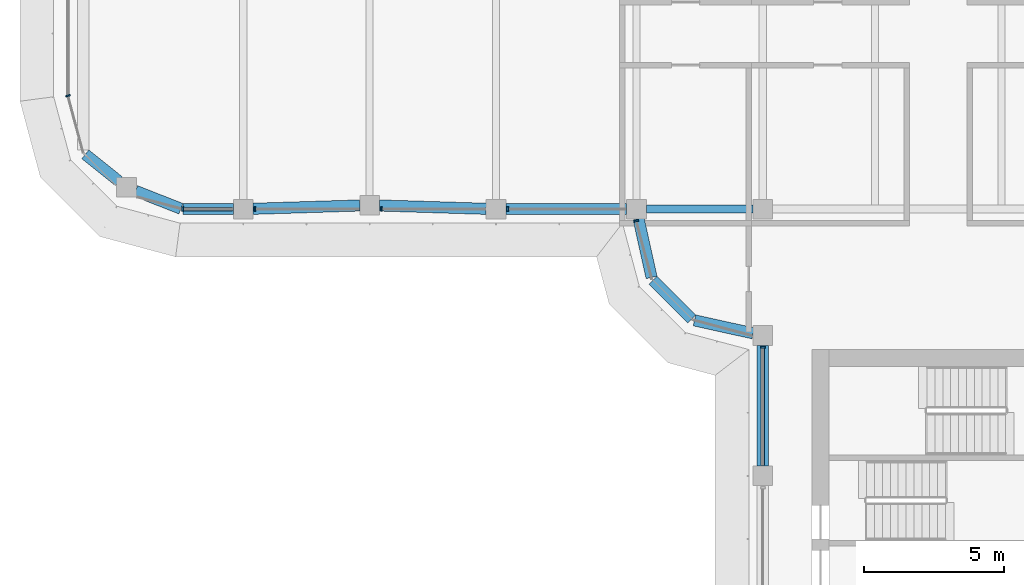
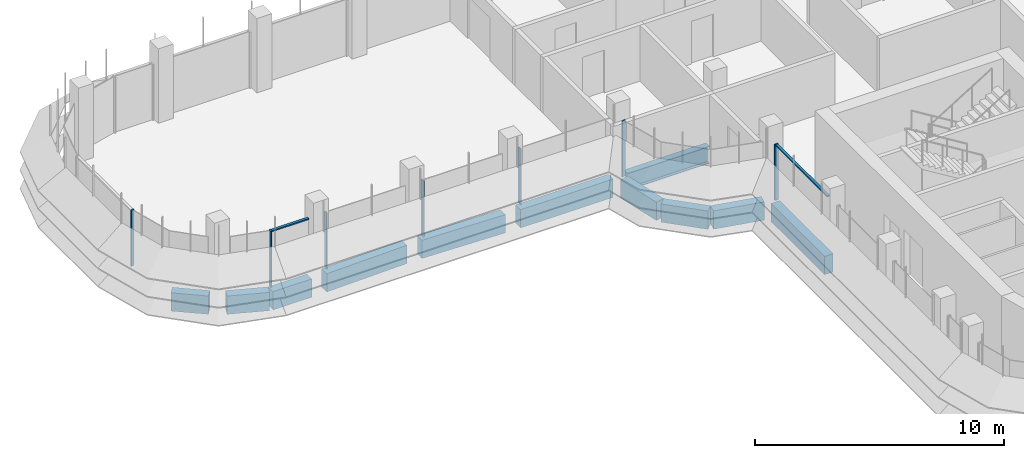
# One storey, part 3 of 19: 11 beams, 9 members, 4 elements without a shape of their own.
"""IFC4 building model written with IfcOpenShell, lengths in metres."""

from ifc_helpers import new_model, si_unit, direction, frame, origin, origin_2d, place, context, subcontext, project, spatial, polyline, rectangle, i_section, outline, extrude, source, transform, mapped, material, material_profile, profile_set, type_object, element, aggregate, save


model = new_model("IFC4")

# Units and contexts
model_context = context("Model", 3, precision=1e-05, world=origin(), true_north=direction((0.0, 1.0)))
body_context = subcontext(model_context, "Body", "Model", "MODEL_VIEW")
ifc_project = project(units=[si_unit("LENGTHUNIT", "METRE"), si_unit("AREAUNIT", "SQUARE_METRE"), si_unit("VOLUMEUNIT", "CUBIC_METRE"), si_unit("PLANEANGLEUNIT", "RADIAN"), si_unit("MASSUNIT", "GRAM", prefix="KILO")], contexts=[model_context])

# Site, building, storey
site_placement = place(None, origin())
site = spatial("IfcSite", under=ifc_project, at=site_placement, CompositionType="ELEMENT")
building_placement = place(site_placement, origin())
building = spatial("IfcBuilding", under=site, at=building_placement, Name="Zarbagh Exchange Tower", CompositionType="ELEMENT")
storey_placement = place(building_placement, frame((0.0, 0.0, 237.199951171875)))
storey = spatial("IfcBuildingStorey", under=building, at=storey_placement, Name="L58", CompositionType="ELEMENT", Elevation=237.199951171875)

# Beams
ifc_material_1 = material(Name="Steel ASTM A992 Gr 50", Category="steel")
ifc_material_profile_1 = material_profile(ifc_material_1, i_section(OverallWidth=0.2919921875, OverallDepth=0.835693359375, WebThickness=0.013916015625, FlangeThickness=0.018798828125, at=origin_2d()), Name="W33X118")
ifc_profile_set_1 = profile_set([ifc_material_profile_1], Name="Steel ASTM A992 Gr 50")
beam_type_1 = type_object("IfcBeamType", Name="Floor girder W33X118", PredefinedType="BEAM", material=ifc_profile_set_1)
beam_1_placement = place(storey_placement, frame((-10.39990234375, -6.25, -0.56787109375), z_axis=(1.0, 0.0, 0.0), x_axis=(0.0, 1.0, 0.0)))
element("IfcBeam", 1, at=beam_1_placement, inside=storey, type_object=beam_type_1, Name="Steel girder", PredefinedType="BEAM", context=body_context, shape_type="SweptSolid", body=[
    extrude(i_section(OverallWidth=0.2919921875, OverallDepth=0.835693359375, WebThickness=0.013916015625, FlangeThickness=0.018798828125, at=origin_2d()), origin(), (0.0, 0.0, 1.0), 3.7998046875),
])
ifc_material_2 = material(Name="Concrete C50/60", Category="concrete")
ifc_material_profile_2 = material_profile(ifc_material_2, rectangle(XDim=0.39990234375, YDim=0.89990234375, at=origin_2d()), Name="RC spandrel beam 400 x 900 C50/60")
ifc_profile_set_2 = profile_set([ifc_material_profile_2], Name="Concrete C50/60")
beam_type_2 = type_object("IfcBeamType", Name="RC spandrel beam 400 x 900 C50/60", PredefinedType="SPANDREL", material=ifc_profile_set_2)
beam_2_placement = place(storey_placement, frame((-6.25, -15.39990234375, -0.599853515625), z_axis=(0.0, 1.0, 0.0), x_axis=(-1.0, 0.0, 0.0)))
element("IfcBeam", 2, at=beam_2_placement, inside=storey, type_object=beam_type_2, Name="RC spandrel beam", PredefinedType="SPANDREL", context=body_context, shape_type="SweptSolid", body=[
    extrude(rectangle(XDim=0.39990234375, YDim=0.89990234375, at=origin_2d()), origin(), (0.0, 0.0, 1.0), 4.2998046875),
])
beam_3_placement = place(storey_placement, frame((-6.591796875, -10.67431640625, -0.599853515625), z_axis=(-0.97639036545, 0.216013551096, 0.0), x_axis=(-0.216013551096, -0.97639036545, 0.0)))
element("IfcBeam", 3, at=beam_3_placement, inside=storey, type_object=beam_type_2, Name="RC spandrel beam", PredefinedType="SPANDREL", context=body_context, shape_type="SweptSolid", body=[
    extrude(rectangle(XDim=0.39990234375, YDim=0.89990234375, at=origin_2d()), origin(), (0.0, 0.0, 1.0), 2.142822265625),
])
beam_4_placement = place(storey_placement, frame((-8.782470703125, -10.15771484375, -0.599853515625), z_axis=(-0.707106781187, 0.707106781187, 0.0), x_axis=(-0.707106781187, -0.707106781187, 0.0)))
element("IfcBeam", 4, at=beam_4_placement, inside=storey, type_object=beam_type_2, Name="RC spandrel beam", PredefinedType="SPANDREL", context=body_context, shape_type="SweptSolid", body=[
    extrude(rectangle(XDim=0.39990234375, YDim=0.89990234375, at=origin_2d()), origin(), (0.0, 0.0, 1.0), 1.94482421875),
])
beam_5_placement = place(storey_placement, frame((-10.21142578125, -8.68408203125, -0.599853515625), z_axis=(-0.216013551096, 0.97639036545, 0.0), x_axis=(-0.97639036545, -0.216013551096, 0.0)))
element("IfcBeam", 5, at=beam_5_placement, inside=storey, type_object=beam_type_2, Name="RC spandrel beam", PredefinedType="SPANDREL", context=body_context, shape_type="SweptSolid", body=[
    extrude(rectangle(XDim=0.39990234375, YDim=0.89990234375, at=origin_2d()), origin(), (0.0, 0.0, 1.0), 2.142822265625),
])
beam_6_placement = place(storey_placement, frame((-11.10009765625, -6.25, -0.599853515625), z_axis=(-1.0, 0.0, 0.0), x_axis=(0.0, -1.0, 0.0)))
element("IfcBeam", 6, at=beam_6_placement, inside=storey, type_object=beam_type_2, Name="RC spandrel beam", PredefinedType="SPANDREL", context=body_context, shape_type="SweptSolid", body=[
    extrude(rectangle(XDim=0.39990234375, YDim=0.89990234375, at=origin_2d()), origin(), (0.0, 0.0, 1.0), 4.2998046875),
])
for number, where, z_axis, x_axis, name in (
    (7, (-16.099853515625, -6.239013671875, -0.599853515625), (-0.999516950199, 0.031078389046, 0.0), (-0.031078389046, -0.999516950199, 0.0), "RC spandrel beam"),
    (8, (-20.599853515625, -6.120849609375, -0.599853515625), (-0.999516950199, -0.031078389046, 0.0), (0.031078389046, -0.999516950199, 0.0), "RC spandrel beam"),
):
    element("IfcBeam", number, at=place(storey_placement, frame(where, z_axis=z_axis, x_axis=x_axis)), inside=storey, type_object=beam_type_2, Name=name, PredefinedType="SPANDREL", context=body_context, shape_type="SweptSolid", body=[
        extrude(rectangle(XDim=0.39990234375, YDim=0.89990234375, at=origin_2d()), origin(), (0.0, 0.0, 1.0), 3.80224609375),
    ])
beam_7_placement = place(storey_placement, frame((-25.10009765625, -6.25, -0.599853515625), z_axis=(-1.0, 0.0, 0.0), x_axis=(0.0, -1.0, 0.0)))
element("IfcBeam", 9, at=beam_7_placement, inside=storey, type_object=beam_type_2, Name="RC spandrel beam", PredefinedType="SPANDREL", context=body_context, shape_type="SweptSolid", body=[
    extrude(rectangle(XDim=0.39990234375, YDim=0.89990234375, at=origin_2d()), origin(), (0.0, 0.0, 1.0), 1.796142578125),
])
beam_8_placement = place(storey_placement, frame((-26.969482421875, -6.236083984375, -0.599853515625), z_axis=(-0.930809711446, 0.365504146457, 0.0), x_axis=(-0.365504146457, -0.930809711446, 0.0)))
element("IfcBeam", 10, at=beam_8_placement, inside=storey, type_object=beam_type_2, Name="RC spandrel beam", PredefinedType="SPANDREL", context=body_context, shape_type="SweptSolid", body=[
    extrude(rectangle(XDim=0.39990234375, YDim=0.89990234375, at=origin_2d()), origin(), (0.0, 0.0, 1.0), 1.732666015625),
])
beam_9_placement = place(storey_placement, frame((-29.18115234375, -5.256103515625, -0.599853515625), z_axis=(-0.780634897504, 0.62498732531, 0.0), x_axis=(-0.62498732531, -0.780634897504, 0.0)))
element("IfcBeam", 11, at=beam_9_placement, inside=storey, type_object=beam_type_2, Name="RC spandrel beam", PredefinedType="SPANDREL", context=body_context, shape_type="SweptSolid", body=[
    extrude(rectangle(XDim=0.39990234375, YDim=0.89990234375, at=origin_2d()), origin(), (0.0, 0.0, 1.0), 1.52783203125),
])

# Curtain wall, member
ifc_material_3 = material(Name="Anodised aluminium frame and glazing", Category="aluminium")
curtain_wall_type = type_object("IfcCurtainWallType", Name="CWB Ribbon glazing, upper zones", PredefinedType="NOTDEFINED", material=ifc_material_3)
curtain_wall_1_placement = place(storey_placement, origin())
curtain_wall_1 = element("IfcCurtainWall", 12, at=curtain_wall_1_placement, inside=storey, type_object=curtain_wall_type, Name="CWB62 curtain wall", PredefinedType="NOTDEFINED")
ifc_material_4 = material(Name="Anodised aluminium frame", Category="aluminium")
member_type_1 = type_object("IfcMemberType", Name="MUB Mullion, anodised aluminium frame", PredefinedType="MULLION", material=ifc_material_4)
shared_shape_1 = source(origin(), body_context, "Body", "SweptSolid", [
    extrude(outline(polyline([(0.0, -0.080078125), (0.06005859375, -0.080078125), (0.06005859375, 0.080078125), (0.0, 0.080078125), (0.0, -0.080078125)])), origin(), (0.0, 0.0, 1.0), 2.75),
])
placement = place(storey_placement, origin())
member_1 = element("IfcMember", 13, at=placement, type_object=member_type_1, Name="CWB62 mullion 1.1", PredefinedType="MULLION", context=body_context, shape_type="MappedRepresentation", body=[
    mapped(shared_shape_1, transform((-31.0, -2.18408203125, 0.0), x_axis=(0.258824779902, -0.965924289636, 0.0), y_axis=(0.965924289636, 0.258824779902, 0.0), z_axis=(0.0, 0.0, 1.0))),
])
aggregate(curtain_wall_1, [member_1])

# Curtain wall, members
curtain_wall_2_placement = place(storey_placement, origin())
curtain_wall_2 = element("IfcCurtainWall", 14, at=curtain_wall_2_placement, inside=storey, type_object=curtain_wall_type, Name="CWB65 curtain wall", PredefinedType="NOTDEFINED")
member_2 = element("IfcMember", 15, at=placement, type_object=member_type_1, Name="CWB65 mullion 1.1", PredefinedType="MULLION", context=body_context, shape_type="MappedRepresentation", body=[
    mapped(shared_shape_1, transform((-26.93408203125, -6.25, 0.0), x_axis=(1.0, 0.0, 0.0), y_axis=(0.0, 1.0, 0.0), z_axis=(0.0, 0.0, 1.0))),
])
member_3 = element("IfcMember", 16, at=placement, type_object=member_type_1, Name="CWB65 mullion 2.1", PredefinedType="MULLION", context=body_context, shape_type="MappedRepresentation", body=[
    mapped(shared_shape_1, transform((-24.35986328125, -6.25, 0.0), x_axis=(1.0, 0.0, 0.0), y_axis=(0.0, 1.0, 0.0), z_axis=(0.0, 0.0, 1.0))),
])
member_4 = element("IfcMember", 17, at=placement, type_object=member_type_1, Name="CWB65 mullion 3.1", PredefinedType="MULLION", context=body_context, shape_type="MappedRepresentation", body=[
    mapped(shared_shape_1, transform((-19.85986328125, -6.25, 0.0), x_axis=(1.0, 0.0, 0.0), y_axis=(0.0, 1.0, 0.0), z_axis=(0.0, 0.0, 1.0))),
])
member_5 = element("IfcMember", 18, at=placement, type_object=member_type_1, Name="CWB65 mullion 4.1", PredefinedType="MULLION", context=body_context, shape_type="MappedRepresentation", body=[
    mapped(shared_shape_1, transform((-15.35986328125, -6.25, 0.0), x_axis=(1.0, 0.0, 0.0), y_axis=(0.0, 1.0, 0.0), z_axis=(0.0, 0.0, 1.0))),
])

# Curtain wall, member
curtain_wall_3_placement = place(storey_placement, origin())
curtain_wall_3 = element("IfcCurtainWall", 19, at=curtain_wall_3_placement, inside=storey, type_object=curtain_wall_type, Name="CWB41 curtain wall", PredefinedType="NOTDEFINED")
member_6 = element("IfcMember", 20, at=placement, type_object=member_type_1, Name="CWB41 mullion 1.1", PredefinedType="MULLION", context=body_context, shape_type="MappedRepresentation", body=[
    mapped(shared_shape_1, transform((-10.76171875, -6.64013671875, 0.0), x_axis=(0.258824779902, -0.965924289636, 0.0), y_axis=(0.965924289636, 0.258824779902, 0.0), z_axis=(0.0, 0.0, 1.0))),
])
aggregate(curtain_wall_3, [member_6])

curtain_wall_4_placement = place(storey_placement, origin())
curtain_wall_4 = element("IfcCurtainWall", 21, at=curtain_wall_4_placement, inside=storey, type_object=curtain_wall_type, Name="CWB53 curtain wall", PredefinedType="NOTDEFINED")
member_7 = element("IfcMember", 22, at=placement, type_object=member_type_1, Name="CWB53 mullion 1.1", PredefinedType="MULLION", context=body_context, shape_type="MappedRepresentation", body=[
    mapped(shared_shape_1, transform((-6.25, -11.14013671875, 0.0), x_axis=(0.0, -1.0, 0.0), y_axis=(1.0, 0.0, 0.0), z_axis=(0.0, 0.0, 1.0))),
])

# Member
member_type_2 = type_object("IfcMemberType", Name="TRB Transom, anodised aluminium frame", PredefinedType="USERDEFINED", material=ifc_material_4)
shared_shape_2 = source(origin(), body_context, "Body", "SweptSolid", [
    extrude(outline(polyline([(-0.06005859375, -0.06005859375), (0.0, -0.06005859375), (0.0, 0.06005859375), (-0.06005859375, 0.06005859375), (-0.06005859375, -0.06005859375)])), origin(), (0.0, 0.0, 1.0), 1.734130859375),
])
member_8 = element("IfcMember", 23, at=placement, type_object=member_type_2, Name="CWB65 transom 1.1", ObjectType="TRANSOM", PredefinedType="USERDEFINED", context=body_context, shape_type="MappedRepresentation", body=[
    mapped(shared_shape_2, transform((-26.874267578125, -6.25, 2.75), x_axis=(0.0, 0.0, 1.0), y_axis=(0.0, -1.0, 0.0), z_axis=(1.0, 0.0, 0.0))),
])

aggregate(curtain_wall_2, [member_2, member_8, member_3, member_4, member_5])

shared_shape_3 = source(origin(), body_context, "Body", "SweptSolid", [
    extrude(outline(polyline([(-0.06005859375, -0.06005859375), (0.0, -0.06005859375), (0.0, 0.06005859375), (-0.06005859375, 0.06005859375), (-0.06005859375, -0.06005859375)])), origin(), (0.0, 0.0, 1.0), 4.159912109375),
])
member_9 = element("IfcMember", 24, at=placement, type_object=member_type_2, Name="CWB53 transom 1.1", ObjectType="TRANSOM", PredefinedType="USERDEFINED", context=body_context, shape_type="MappedRepresentation", body=[
    mapped(shared_shape_3, transform((-6.25, -11.199951171875, 2.75), x_axis=(0.0, 0.0, 1.0), y_axis=(-1.0, 0.0, 0.0), z_axis=(0.0, -1.0, 0.0))),
])

aggregate(curtain_wall_4, [member_7, member_9])

save(model, "model.ifc")
